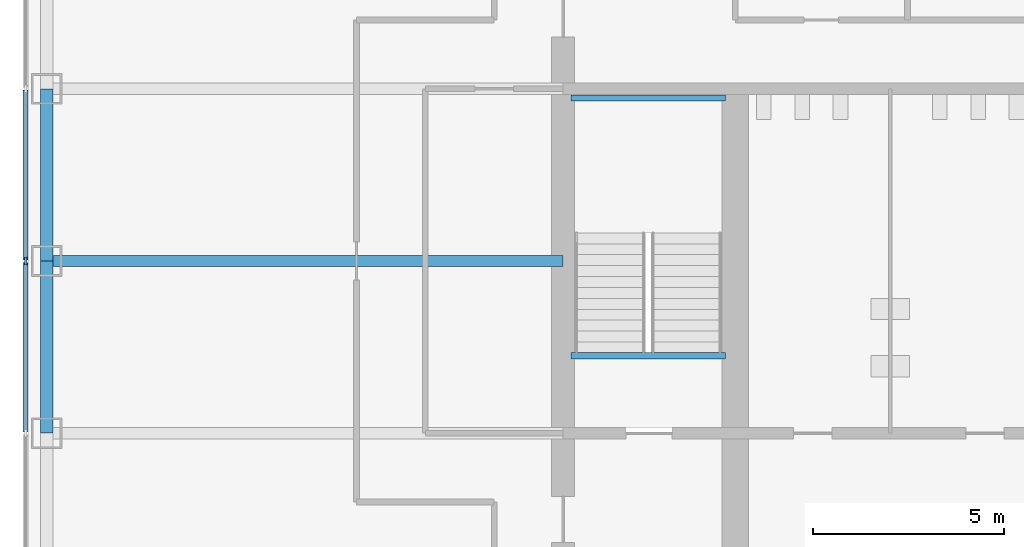
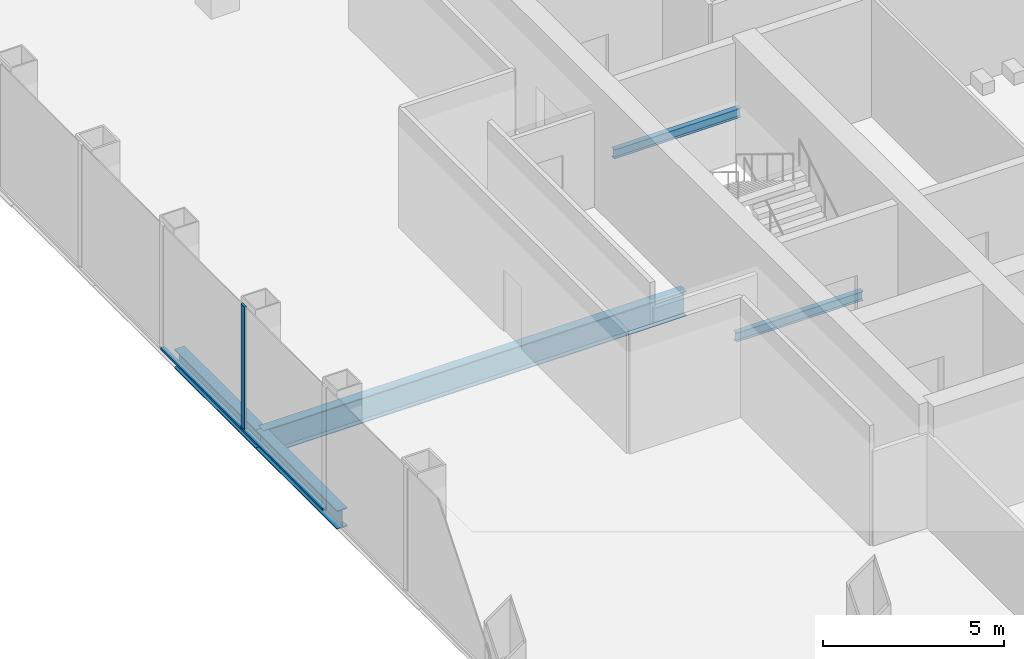
# One storey, part 3 of 12: 5 beams, 3 members, 1 element without a shape of its own.
"""IFC4 building model written with IfcOpenShell, lengths in metres."""

from ifc_helpers import new_model, si_unit, direction, frame, origin, origin_2d, place, context, subcontext, project, spatial, rectangle, i_section, extrude, material, material_profile, profile_set, type_object, element, aggregate, save


model = new_model("IFC4")

# Units and contexts
model_context = context("Model", 3, precision=1e-05, world=origin(), true_north=direction((0.0, 1.0)))
body_context = subcontext(model_context, "Body", "Model", "MODEL_VIEW")
ifc_project = project(units=[si_unit("LENGTHUNIT", "METRE"), si_unit("AREAUNIT", "SQUARE_METRE"), si_unit("VOLUMEUNIT", "CUBIC_METRE"), si_unit("PLANEANGLEUNIT", "RADIAN"), si_unit("MASSUNIT", "GRAM", prefix="KILO")], contexts=[model_context])

# Site, building, storey
site_placement = place(None, origin())
site = spatial("IfcSite", under=ifc_project, at=site_placement, CompositionType="ELEMENT")
building_placement = place(site_placement, origin())
building = spatial("IfcBuilding", under=site, at=building_placement, Name="Corais Broadcast Tower", CompositionType="ELEMENT")
storey_placement = place(building_placement, frame((0.0, 0.0, 71.0)))
storey = spatial("IfcBuildingStorey", under=building, at=storey_placement, Name="L15", CompositionType="ELEMENT", Elevation=71.0)

# Beams
ifc_material_1 = material(Name="Steel ASTM A572 Grade 50", Category="steel")
ifc_material_profile_1 = material_profile(ifc_material_1, i_section(OverallWidth=0.2939453125, OverallDepth=0.85107421875, WebThickness=0.01611328125, FlangeThickness=0.02685546875, at=origin_2d()), Name="W840x226")
ifc_profile_set_1 = profile_set([ifc_material_profile_1], Name="Steel ASTM A572 Grade 50")
beam_type_1 = type_object("IfcBeamType", Name="Floor beam W840x226", PredefinedType="BEAM", material=ifc_profile_set_1)
beam_placement = place(storey_placement, frame((0.0, 27.0, -0.58544921875), z_axis=(1.0, 0.0, 0.0), x_axis=(0.0, 1.0, 0.0)))
element("IfcBeam", 1, at=beam_placement, inside=storey, type_object=beam_type_1, Name="B1 G/3 to G/6", PredefinedType="BEAM", context=body_context, shape_type="SweptSolid", body=[
    extrude(i_section(OverallWidth=0.2939453125, OverallDepth=0.85107421875, WebThickness=0.01611328125, FlangeThickness=0.02685546875, at=origin_2d()), origin(), (0.0, 0.0, 1.0), 13.5),
])
ifc_material_2 = material(Name="Steel ASTM A572 Grade 50", Category="steel")
ifc_material_profile_2 = material_profile(ifc_material_2, i_section(OverallWidth=0.1650390625, OverallDepth=0.31005859375, WebThickness=0.005859375, FlangeThickness=0.009765625, at=origin_2d()), Name="W310x38.7")
ifc_profile_set_2 = profile_set([ifc_material_profile_2], Name="Steel ASTM A572 Grade 50")
beam_type_2 = type_object("IfcBeamType", Name="Landing trimmer W310x38.7", PredefinedType="BEAM", material=ifc_profile_set_2)
for number, where, z_axis, x_axis, name in (
    (2, (13.699951171875, 24.52490234375, -0.35498046875), (1.0, 0.0, 0.0), (0.0, 1.0, 0.0), "LT1 stair A landing trimmer L15"),
    (3, (13.699951171875, 31.260009765625, 1.7451171875), (1.0, 0.0, 0.0), (0.0, 1.0, 0.0), "LT1 stair A half landing trimmer L15"),
):
    element("IfcBeam", number, at=place(storey_placement, frame(where, z_axis=z_axis, x_axis=x_axis)), inside=storey, type_object=beam_type_2, Name=name, PredefinedType="BEAM", context=body_context, shape_type="SweptSolid", body=[
        extrude(i_section(OverallWidth=0.1650390625, OverallDepth=0.31005859375, WebThickness=0.005859375, FlangeThickness=0.009765625, at=origin_2d()), origin(), (0.0, 0.0, 1.0), 4.050048828125),
    ])

# Curtain wall, member
ifc_material_3 = material(Name="Aluminium and glass", Category="aluminium")
curtain_wall_type = type_object("IfcCurtainWallType", Name="Unitised fritted curtain wall CW1", PredefinedType="NOTDEFINED", material=ifc_material_3)
curtain_wall_placement = place(storey_placement, origin())
curtain_wall = element("IfcCurtainWall", 4, at=curtain_wall_placement, inside=storey, type_object=curtain_wall_type, Name="CW1 curtain wall L15 2", PredefinedType="NOTDEFINED")
ifc_material_4 = material(Name="Aluminium 6063-T6", Category="aluminium")
ifc_material_profile_3 = material_profile(ifc_material_4, rectangle(XDim=0.06494140625, YDim=0.199951171875, at=origin_2d()), Name="Mullion CW1 65x200")
ifc_profile_set_3 = profile_set([ifc_material_profile_3], Name="Aluminium 6063-T6")
member_type_1 = type_object("IfcMemberType", Name="Mullion CW1 65x200", PredefinedType="MULLION", material=ifc_profile_set_3)
member_1_placement = place(storey_placement, frame((-0.550048828125, 27.0, 0.0), z_axis=(0.0, 0.0, 1.0), x_axis=(-1.0, 0.0, 0.0)))
member_1 = element("IfcMember", 5, at=member_1_placement, type_object=member_type_1, Name="CW1 mullion 6", PredefinedType="MULLION", context=body_context, shape_type="SweptSolid", body=[
    extrude(rectangle(XDim=0.06494140625, YDim=0.199951171875, at=origin_2d()), origin(), (0.0, 0.0, 1.0), 4.199951171875),
])

# Beams
ifc_material_5 = material(Name="Steel ASTM A572 Grade 50", Category="steel")
ifc_material_profile_4 = material_profile(ifc_material_5, i_section(OverallWidth=0.3291015625, OverallDepth=0.635009765625, WebThickness=0.017822265625, FlangeThickness=0.031005859375, at=origin_2d()), Name="W610x241")
ifc_profile_set_4 = profile_set([ifc_material_profile_4], Name="Steel ASTM A572 Grade 50")
beam_type_3 = type_object("IfcBeamType", Name="Spandrel W610x241", PredefinedType="BEAM", material=ifc_profile_set_4)
for number, where, z_axis, x_axis, name in (
    (6, (0.0, 27.0, -0.4775390625), (0.0, -1.0, 0.0), (1.0, 0.0, 0.0), "SB1 G/3 to F/3"),
    (7, (0.0, 31.5, -0.4775390625), (0.0, -1.0, 0.0), (1.0, 0.0, 0.0), "SB1 H/3 to G/3"),
):
    element("IfcBeam", number, at=place(storey_placement, frame(where, z_axis=z_axis, x_axis=x_axis)), inside=storey, type_object=beam_type_3, Name=name, PredefinedType="BEAM", context=body_context, shape_type="SweptSolid", body=[
        extrude(i_section(OverallWidth=0.3291015625, OverallDepth=0.635009765625, WebThickness=0.017822265625, FlangeThickness=0.031005859375, at=origin_2d()), origin(), (0.0, 0.0, 1.0), 4.5),
    ])

# Member
ifc_material_6 = material(Name="Aluminium 6063-T6", Category="aluminium")
ifc_material_profile_5 = material_profile(ifc_material_6, rectangle(XDim=0.139892578125, YDim=0.06494140625, at=origin_2d()), Name="Transom CW1 65x140")
ifc_profile_set_5 = profile_set([ifc_material_profile_5], Name="Aluminium 6063-T6")
member_type_2 = type_object("IfcMemberType", Name="Transom CW1 65x140", PredefinedType="USERDEFINED", material=ifc_profile_set_5)
member_2_placement = place(storey_placement, frame((-0.550048828125, 22.532470703125, 0.032470703125), z_axis=(0.0, 1.0, 0.0), x_axis=(-1.0, 0.0, 0.0)))
member_2 = element("IfcMember", 8, at=member_2_placement, type_object=member_type_2, Name="CW1 transom 5.1", ObjectType="TRANSOM", PredefinedType="USERDEFINED", context=body_context, shape_type="SweptSolid", body=[
    extrude(rectangle(XDim=0.139892578125, YDim=0.06494140625, at=origin_2d()), origin(), (0.0, 0.0, 1.0), 4.43505859375),
])

member_3_placement = place(storey_placement, frame((-0.550048828125, 27.032470703125, 0.032470703125), z_axis=(0.0, 1.0, 0.0), x_axis=(-1.0, 0.0, 0.0)))
member_3 = element("IfcMember", 9, at=member_3_placement, type_object=member_type_2, Name="CW1 transom 6.1", ObjectType="TRANSOM", PredefinedType="USERDEFINED", context=body_context, shape_type="SweptSolid", body=[
    extrude(rectangle(XDim=0.139892578125, YDim=0.06494140625, at=origin_2d()), origin(), (0.0, 0.0, 1.0), 4.43505859375),
])

aggregate(curtain_wall, [member_1, member_2, member_3])

save(model, "model.ifc")
